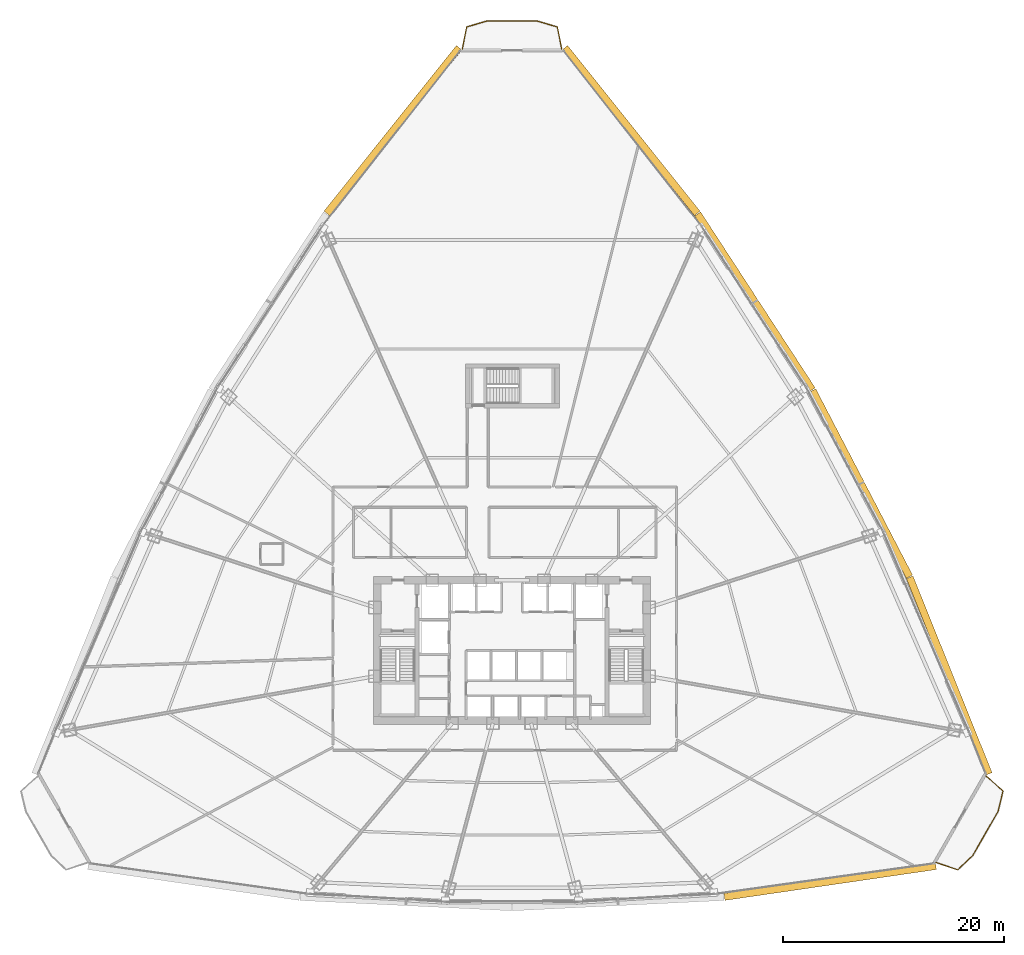
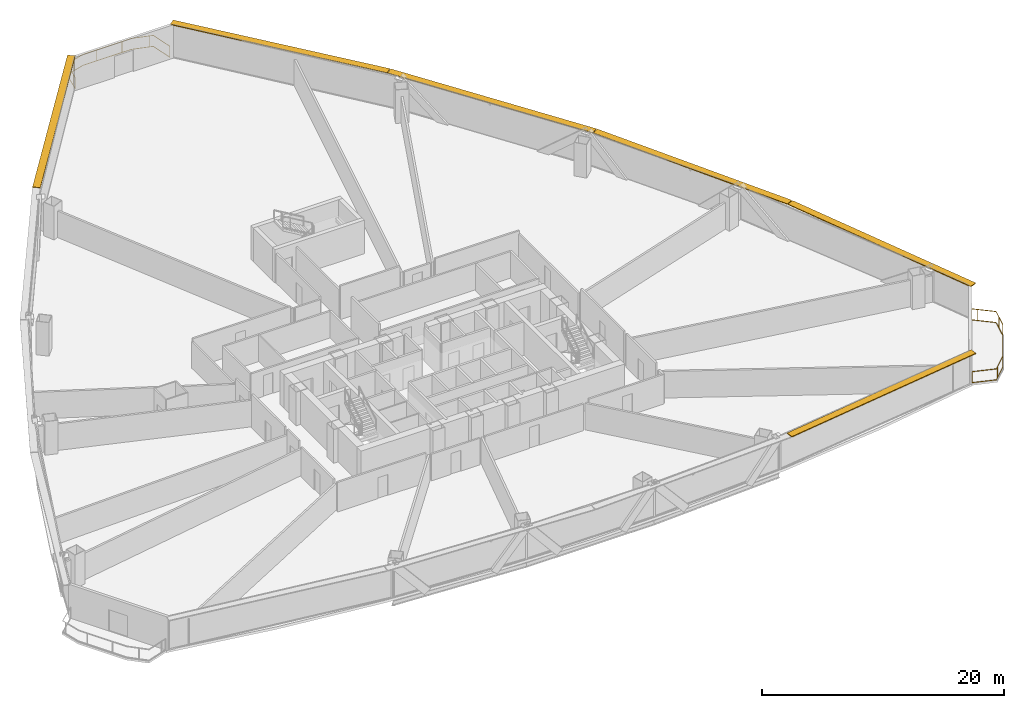
# One storey, part 37 of 37: 6 shading devices, 2 railings.
"""IFC4 building model written with IfcOpenShell, lengths in metres."""

from ifc_helpers import new_model, si_unit, direction, frame, origin, origin_2d, place, context, subcontext, project, spatial, rectangle, extrude, source, transform, mapped, material, layer, layer_set, type_object, element, save


model = new_model("IFC4")

# Units and contexts
model_context = context("Model", 3, precision=1e-05, world=origin(), true_north=direction((0.0, 1.0)))
body_context = subcontext(model_context, "Body", "Model", "MODEL_VIEW")
ifc_project = project(units=[si_unit("LENGTHUNIT", "METRE"), si_unit("AREAUNIT", "SQUARE_METRE"), si_unit("VOLUMEUNIT", "CUBIC_METRE"), si_unit("PLANEANGLEUNIT", "RADIAN"), si_unit("MASSUNIT", "GRAM", prefix="KILO"), si_unit("THERMODYNAMICTEMPERATUREUNIT", "KELVIN"), si_unit("POWERUNIT", "WATT")], contexts=[model_context])

# Site, building, storey
site_placement = place(None, origin())
site = spatial("IfcSite", under=ifc_project, at=site_placement, CompositionType="ELEMENT")
building_placement = place(site_placement, origin())
building = spatial("IfcBuilding", under=site, at=building_placement, Name="Yunzhuo Pagoda Commons", CompositionType="ELEMENT")
storey_placement = place(building_placement, frame((0.0, 0.0, 59.43994140625)))
storey = spatial("IfcBuildingStorey", under=building, at=storey_placement, Name="L15", CompositionType="ELEMENT", Elevation=59.43994140625)

# Railings
ifc_material = material(Name="Anodized aluminium 6063-T6", Category="aluminium")
railing_type = type_object("IfcRailingType", Name="RL-BAL1 Exterior Terrace & Balcony Balustrade 1150", PredefinedType="BALUSTRADE", material=ifc_material)
railing_1_placement = place(storey_placement, frame((86.410888671875, 14.6337890625, 0.0)))
element("IfcRailing", 1, at=railing_1_placement, inside=storey, type_object=railing_type, Name="L15 corner balcony balustrade V2", PredefinedType="BALUSTRADE", context=body_context, shape_type="SweptSolid", body=[
    extrude(rectangle(XDim=0.048095703125, YDim=0.048095703125, at=origin_2d()), frame((0.0, 0.0, 1.1259765625), z_axis=(0.947395259337, -0.320065965992, 0.0), x_axis=(0.320065965992, 0.947395259337, 0.0)), (0.0, 0.0, 1.0), 2.0595703125),
    extrude(rectangle(XDim=0.048095703125, YDim=0.048095703125, at=origin_2d()), frame((0.0, 0.0, 0.02392578125), z_axis=(0.947395259337, -0.320065965992, 0.0), x_axis=(0.320065965992, 0.947395259337, 0.0)), (0.0, 0.0, 1.0), 2.0595703125),
    extrude(rectangle(XDim=0.048095703125, YDim=0.048095703125, at=origin_2d()), frame((1.951171875, -0.6591796875, 1.1259765625), z_axis=(0.720429774389, 0.693527894302, 0.0), x_axis=(-0.693527894302, 0.720429774389, 0.0)), (0.0, 0.0, 1.0), 1.896728515625),
    extrude(rectangle(XDim=0.048095703125, YDim=0.048095703125, at=origin_2d()), frame((1.951171875, -0.6591796875, 0.02392578125), z_axis=(0.720429774389, 0.693527894302, 0.0), x_axis=(-0.693527894302, 0.720429774389, 0.0)), (0.0, 0.0, 1.0), 1.896728515625),
    extrude(rectangle(XDim=0.048095703125, YDim=0.048095703125, at=origin_2d()), frame((3.317626953125, 0.65625, 1.1259765625), z_axis=(0.497931801723, 0.867216190366, 0.0), x_axis=(-0.867216190366, 0.497931801723, 0.0)), (0.0, 0.0, 1.0), 4.60205078125),
    extrude(rectangle(XDim=0.048095703125, YDim=0.048095703125, at=origin_2d()), frame((3.317626953125, 0.65625, 0.02392578125), z_axis=(0.497931801723, 0.867216190366, 0.0), x_axis=(-0.867216190366, 0.497931801723, 0.0)), (0.0, 0.0, 1.0), 4.60205078125),
    extrude(rectangle(XDim=0.048095703125, YDim=0.048095703125, at=origin_2d()), frame((5.609130859375, 4.647216796875, 1.1259765625), z_axis=(0.235684758319, 0.971829560518, 0.0), x_axis=(-0.971829560518, 0.235684758319, 0.0)), (0.0, 0.0, 1.0), 1.896728515625),
    extrude(rectangle(XDim=0.048095703125, YDim=0.048095703125, at=origin_2d()), frame((5.609130859375, 4.647216796875, 0.02392578125), z_axis=(0.235684758319, 0.971829560518, 0.0), x_axis=(-0.971829560518, 0.235684758319, 0.0)), (0.0, 0.0, 1.0), 1.896728515625),
    extrude(rectangle(XDim=0.048095703125, YDim=0.048095703125, at=origin_2d()), frame((6.05615234375, 6.490478515625, 1.1259765625), z_axis=(-0.753933830692, 0.656950362614, 0.0), x_axis=(-0.656950362614, -0.753933830692, 0.0)), (0.0, 0.0, 1.0), 2.05908203125),
    extrude(rectangle(XDim=0.048095703125, YDim=0.048095703125, at=origin_2d()), frame((6.05615234375, 6.490478515625, 0.02392578125), z_axis=(-0.753933830692, 0.656950362614, 0.0), x_axis=(-0.656950362614, -0.753933830692, 0.0)), (0.0, 0.0, 1.0), 2.05908203125),
    extrude(rectangle(XDim=0.0419921875, YDim=0.0419921875, at=origin_2d()), origin(), (0.0, 0.0, 1.0), 1.101806640625),
    extrude(rectangle(XDim=0.0419921875, YDim=0.0419921875, at=origin_2d()), frame((2.196533203125, -0.423095703125, 0.0)), (0.0, 0.0, 1.0), 1.101806640625),
    extrude(rectangle(XDim=0.0419921875, YDim=0.0419921875, at=origin_2d()), frame((3.73779296875, 1.387939453125, 0.0)), (0.0, 0.0, 1.0), 1.101806640625),
    extrude(rectangle(XDim=0.0419921875, YDim=0.0419921875, at=origin_2d()), frame((4.932861328125, 3.46923828125, 0.0)), (0.0, 0.0, 1.0), 1.101806640625),
    extrude(rectangle(XDim=0.0419921875, YDim=0.0419921875, at=origin_2d()), frame((5.854736328125, 5.65966796875, 0.0)), (0.0, 0.0, 1.0), 1.101806640625),
    extrude(rectangle(XDim=0.0419921875, YDim=0.0419921875, at=origin_2d()), frame((4.891357421875, 7.50537109375, 0.0)), (0.0, 0.0, 1.0), 1.101806640625),
    extrude(rectangle(XDim=0.0419921875, YDim=0.0419921875, at=origin_2d()), frame((4.503662109375, 7.84326171875, 0.0)), (0.0, 0.0, 1.0), 1.101806640625),
])
railing_2_placement = place(storey_placement, frame((52.503173828125, 88.280517578125, 0.0)))
element("IfcRailing", 2, at=railing_2_placement, inside=storey, type_object=railing_type, Name="L15 corner balcony balustrade V3", PredefinedType="BALUSTRADE", context=body_context, shape_type="SweptSolid", body=[
    extrude(rectangle(XDim=0.048095703125, YDim=0.048095703125, at=origin_2d()), frame((0.0, 0.0, 1.1259765625), z_axis=(-0.194337253182, 0.980934774603, 0.0), x_axis=(-0.980934774603, -0.194337253182, 0.0)), (0.0, 0.0, 1.0), 2.05908203125),
    extrude(rectangle(XDim=0.048095703125, YDim=0.048095703125, at=origin_2d()), frame((0.0, 0.0, 0.02392578125), z_axis=(-0.194337253182, 0.980934774603, 0.0), x_axis=(-0.980934774603, -0.194337253182, 0.0)), (0.0, 0.0, 1.0), 2.05908203125),
    extrude(rectangle(XDim=0.048095703125, YDim=0.048095703125, at=origin_2d()), frame((-0.400146484375, 2.019775390625, 1.1259765625), z_axis=(-0.959762068021, 0.280814481088, 0.0), x_axis=(-0.280814481088, -0.959762068021, 0.0)), (0.0, 0.0, 1.0), 1.887451171875),
    extrude(rectangle(XDim=0.048095703125, YDim=0.048095703125, at=origin_2d()), frame((-0.400146484375, 2.019775390625, 0.02392578125), z_axis=(-0.959762068021, 0.280814481088, 0.0), x_axis=(-0.280814481088, -0.959762068021, 0.0)), (0.0, 0.0, 1.0), 1.887451171875),
    extrude(rectangle(XDim=0.048095703125, YDim=0.048095703125, at=origin_2d()), frame((-2.211669921875, 2.5498046875, 1.1259765625), z_axis=(-1.0, 0.0, 0.0), x_axis=(0.0, -1.0, 0.0)), (0.0, 0.0, 1.0), 4.5830078125),
    extrude(rectangle(XDim=0.048095703125, YDim=0.048095703125, at=origin_2d()), frame((-2.211669921875, 2.5498046875, 0.02392578125), z_axis=(-1.0, 0.0, 0.0), x_axis=(0.0, -1.0, 0.0)), (0.0, 0.0, 1.0), 4.5830078125),
    extrude(rectangle(XDim=0.048095703125, YDim=0.048095703125, at=origin_2d()), frame((-6.794677734375, 2.5498046875, 1.1259765625), z_axis=(-0.959762068021, -0.280814481088, 0.0), x_axis=(0.280814481088, -0.959762068021, 0.0)), (0.0, 0.0, 1.0), 1.887451171875),
    extrude(rectangle(XDim=0.048095703125, YDim=0.048095703125, at=origin_2d()), frame((-6.794677734375, 2.5498046875, 0.02392578125), z_axis=(-0.959762068021, -0.280814481088, 0.0), x_axis=(0.280814481088, -0.959762068021, 0.0)), (0.0, 0.0, 1.0), 1.887451171875),
    extrude(rectangle(XDim=0.048095703125, YDim=0.048095703125, at=origin_2d()), frame((-8.606201171875, 2.019775390625, 1.1259765625), z_axis=(-0.194337253182, -0.980934774603, 0.0), x_axis=(0.980934774603, -0.194337253182, 0.0)), (0.0, 0.0, 1.0), 2.05908203125),
    extrude(rectangle(XDim=0.048095703125, YDim=0.048095703125, at=origin_2d()), frame((-8.606201171875, 2.019775390625, 0.02392578125), z_axis=(-0.194337253182, -0.980934774603, 0.0), x_axis=(0.980934774603, -0.194337253182, 0.0)), (0.0, 0.0, 1.0), 2.05908203125),
    extrude(rectangle(XDim=0.0419921875, YDim=0.0419921875, at=origin_2d()), origin(), (0.0, 0.0, 1.0), 1.101806640625),
    extrude(rectangle(XDim=0.0419921875, YDim=0.0419921875, at=origin_2d()), frame((-0.727294921875, 2.115478515625, 0.0)), (0.0, 0.0, 1.0), 1.101806640625),
    extrude(rectangle(XDim=0.0419921875, YDim=0.0419921875, at=origin_2d()), frame((-3.065185546875, 2.5498046875, 0.0)), (0.0, 0.0, 1.0), 1.101806640625),
    extrude(rectangle(XDim=0.0419921875, YDim=0.0419921875, at=origin_2d()), frame((-5.465087890625, 2.5498046875, 0.0)), (0.0, 0.0, 1.0), 1.101806640625),
    extrude(rectangle(XDim=0.0419921875, YDim=0.0419921875, at=origin_2d()), frame((-7.822021484375, 2.249267578125, 0.0)), (0.0, 0.0, 1.0), 1.101806640625),
    extrude(rectangle(XDim=0.0419921875, YDim=0.0419921875, at=origin_2d()), frame((-8.913818359375, 0.467041015625, 0.0)), (0.0, 0.0, 1.0), 1.101806640625),
    extrude(rectangle(XDim=0.0419921875, YDim=0.0419921875, at=origin_2d()), frame((-9.00634765625, 0.0, 0.0)), (0.0, 0.0, 1.0), 1.101806640625),
])

# Shading devices
ifc_layer = layer(ifc_material, 0.080078125)
ifc_layer_set = layer_set([ifc_layer], Name="Anodized aluminium 6063-T6")
shading_device_type = type_object("IfcShadingDeviceType", Name="SH-SUN1 Pagoda Horizontal Sunshade Eave 650", PredefinedType="USERDEFINED", material=ifc_layer_set)
shared_shape_1 = source(origin(), body_context, "Body", "SweptSolid", [
    extrude(rectangle(XDim=19.34912109375, YDim=0.64990234375, at=origin_2d()), origin(), (0.0, 0.0, 1.0), 0.080078125),
])
shading_device_placement = place(storey_placement, frame((76.81298828125, 12.926513671875, 3.2900390625), z_axis=(0.0, 0.0, 1.0), x_axis=(0.989510666697, 0.144459823108, 0.0)))
element("IfcShadingDevice", 3, at=shading_device_placement, inside=storey, type_object=shading_device_type, Name="L15 horizontal pagoda sunshade eave F1.4", ObjectType="SUNSHADE", PredefinedType="USERDEFINED", context=body_context, shape_type="MappedRepresentation", body=[
    mapped(shared_shape_1, transform((0.0, 0.0, 0.0), scale=1.0)),
])
shared_shape_2 = source(origin(), body_context, "Body", "SweptSolid", [
    extrude(rectangle(XDim=19.193603515625, YDim=0.64990234375, at=origin_2d()), origin(), (0.0, 0.0, 1.0), 0.080078125),
])
for number, where, z_axis, x_axis, name in (
    (4, (87.590087890625, 31.55859375, 3.2900390625), (0.0, 0.0, 1.0), (-0.372987782576, 0.927836253899, 0.0), "L15 horizontal pagoda sunshade eave F2.1"),
    (5, (58.7763671875, 80.91943359375, 3.2900390625), (0.0, 0.0, 1.0), (-0.624520471688, 0.781008438138, 0.0), "L15 horizontal pagoda sunshade eave F2.4"),
    (6, (37.2236328125, 80.91943359375, 3.2900390625), (0.0, 0.0, 1.0), (-0.624520471688, -0.781008438138, 0.0), "L15 horizontal pagoda sunshade eave F3.1"),
):
    element("IfcShadingDevice", number, at=place(storey_placement, frame(where, z_axis=z_axis, x_axis=x_axis)), inside=storey, type_object=shading_device_type, Name=name, ObjectType="SUNSHADE", PredefinedType="USERDEFINED", context=body_context, shape_type="MappedRepresentation", body=[
        mapped(shared_shape_2, transform((0.0, 0.0, 0.0), scale=1.0)),
    ])
shared_shape_3 = source(origin(), body_context, "Body", "SweptSolid", [
    extrude(rectangle(XDim=19.01123046875, YDim=0.64990234375, at=origin_2d()), origin(), (0.0, 0.0, 1.0), 0.080078125),
])
for number, where, z_axis, x_axis, name in (
    (7, (79.60009765625, 48.95458984375, 3.2900390625), (0.0, 0.0, 1.0), (-0.461206683033, 0.88729273384, 0.0), "L15 horizontal pagoda sunshade eave F2.2"),
    (8, (69.995361328125, 65.408447265625, 3.2900390625), (0.0, 0.0, 1.0), (-0.545838756973, 0.837890238269, 0.0), "L15 horizontal pagoda sunshade eave F2.3"),
):
    element("IfcShadingDevice", number, at=place(storey_placement, frame(where, z_axis=z_axis, x_axis=x_axis)), inside=storey, type_object=shading_device_type, Name=name, ObjectType="SUNSHADE", PredefinedType="USERDEFINED", context=body_context, shape_type="MappedRepresentation", body=[
        mapped(shared_shape_3, transform((0.0, 0.0, 0.0), scale=1.0)),
    ])

save(model, "model.ifc")
